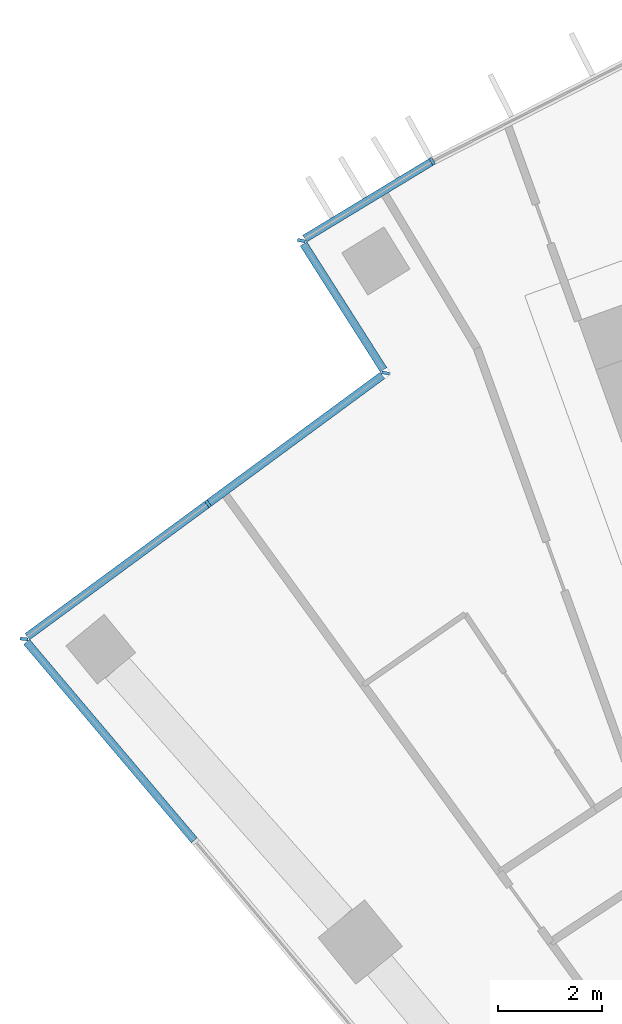
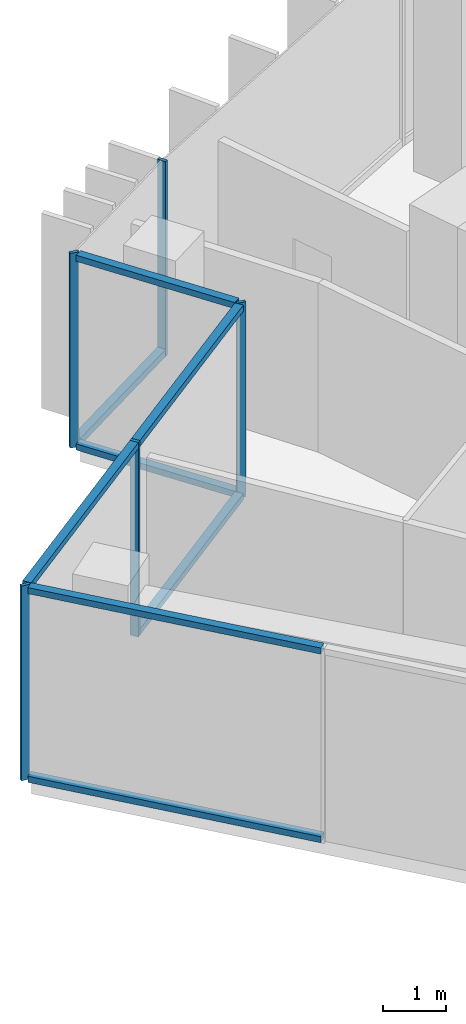
# One storey, part 3 of 19: 13 members, 4 elements without a shape of their own.
"""IFC4 building model written with IfcOpenShell, lengths in metres."""

from ifc_helpers import new_model, si_unit, direction, frame, origin, origin_2d, place, context, subcontext, project, spatial, rectangle, extrude, material, layer, layer_set, material_profile, profile_set, type_object, element, aggregate, save


model = new_model("IFC4")

# Units and contexts
model_context = context("Model", 3, precision=1e-05, world=origin(), true_north=direction((0.0, 1.0)))
body_context = subcontext(model_context, "Body", "Model", "MODEL_VIEW")
ifc_project = project(units=[si_unit("LENGTHUNIT", "METRE"), si_unit("AREAUNIT", "SQUARE_METRE"), si_unit("VOLUMEUNIT", "CUBIC_METRE"), si_unit("PLANEANGLEUNIT", "RADIAN"), si_unit("MASSUNIT", "GRAM", prefix="KILO")], contexts=[model_context])

# Site, building, storey
site_placement = place(None, origin())
site = spatial("IfcSite", under=ifc_project, at=site_placement, CompositionType="ELEMENT")
building_placement = place(site_placement, origin())
building = spatial("IfcBuilding", under=site, at=building_placement, Name="Stone Belt Terrace Tower", CompositionType="ELEMENT")
storey_placement = place(building_placement, frame((0.0, 0.0, 246.60009765625)))
storey = spatial("IfcBuildingStorey", under=building, at=storey_placement, Name="L60", CompositionType="ELEMENT", Elevation=246.60009765625)

# Curtain wall, members
ifc_material = material(Name="Aluminium 6063-T6 anodised frame", Category="aluminium")
ifc_layer_1 = layer(ifc_material, 0.14990234375)
ifc_layer_set_1 = layer_set([ifc_layer_1], Name="CW-A unitised convex-face curtain wall")
curtain_wall_type_1 = type_object("IfcCurtainWallType", Name="CW-A unitised convex-face curtain wall", PredefinedType="NOTDEFINED", material=ifc_layer_set_1)
curtain_wall_1_placement = place(storey_placement, origin())
curtain_wall_1 = element("IfcCurtainWall", 1, at=curtain_wall_1_placement, inside=storey, type_object=curtain_wall_type_1, Name="CW-A convex face L60", PredefinedType="NOTDEFINED")
ifc_material_profile_1 = material_profile(ifc_material, rectangle(XDim=0.14990234375, YDim=0.06005859375, at=origin_2d()), Name="Aluminium 6063-T6 60x150")
ifc_profile_set_1 = profile_set([ifc_material_profile_1], Name="Aluminium 6063-T6 anodised frame")
member_type_1 = type_object("IfcMemberType", Name="CW-A mullion 60 x 150", PredefinedType="MULLION", material=ifc_profile_set_1)
member_1_placement = place(storey_placement, frame((-33.28662109375, 57.65625, 0.0), z_axis=(0.0, 0.0, 1.0), x_axis=(0.486552313968, -0.873651444097, 0.0)))
member_1 = element("IfcMember", 2, at=member_1_placement, type_object=member_type_1, Name="CW-A mullion 14", PredefinedType="MULLION", context=body_context, shape_type="SweptSolid", body=[
    extrude(rectangle(XDim=0.14990234375, YDim=0.06005859375, at=origin_2d()), origin(), (0.0, 0.0, 1.0), 3.7998046875),
])
ifc_material_profile_2 = material_profile(ifc_material, rectangle(XDim=0.14990234375, YDim=0.139892578125, at=origin_2d()), Name="Aluminium 6063-T6 150x140")
ifc_profile_set_2 = profile_set([ifc_material_profile_2], Name="Aluminium 6063-T6 anodised frame")
member_type_2 = type_object("IfcMemberType", Name="CW-A transom 140 x 150", PredefinedType="USERDEFINED", material=ifc_profile_set_2)
member_2_placement = place(storey_placement, frame((-33.314453125, 57.63916015625, 0.06982421875), z_axis=(-0.855133942874, -0.51840711776, 0.0), x_axis=(0.51840711776, -0.855133942874, 0.0)))
member_2 = element("IfcMember", 3, at=member_2_placement, type_object=member_type_2, Name="CW-A transom 14.1", ObjectType="TRANSOM", PredefinedType="USERDEFINED", context=body_context, shape_type="SweptSolid", body=[
    extrude(rectangle(XDim=0.14990234375, YDim=0.139892578125, at=origin_2d()), origin(), (0.0, 0.0, 1.0), 2.8232421875),
])
aggregate(curtain_wall_1, [member_1, member_2])

# Curtain wall, member
ifc_layer_2 = layer(ifc_material, 0.14990234375)
ifc_layer_set_2 = layer_set([ifc_layer_2], Name="CW-C stick curtain wall, horn ends and notches")
curtain_wall_type_2 = type_object("IfcCurtainWallType", Name="CW-C stick curtain wall, horn ends and notches", PredefinedType="NOTDEFINED", material=ifc_layer_set_2)
curtain_wall_2_placement = place(storey_placement, origin())
curtain_wall_2 = element("IfcCurtainWall", 4, at=curtain_wall_2_placement, inside=storey, type_object=curtain_wall_type_2, Name="CW-C notch face L60", PredefinedType="NOTDEFINED")
ifc_material_profile_3 = material_profile(ifc_material, rectangle(XDim=0.14990234375, YDim=0.06005859375, at=origin_2d()), Name="Aluminium 6063-T6 60x150")
ifc_profile_set_3 = profile_set([ifc_material_profile_3], Name="Aluminium 6063-T6 anodised frame")
member_type_3 = type_object("IfcMemberType", Name="CW-C mullion 60 x 150", PredefinedType="MULLION", material=ifc_profile_set_3)
member_3_placement = place(storey_placement, frame((-35.792724609375, 56.13671875, 0.0), z_axis=(0.0, 0.0, 1.0), x_axis=(0.973748724197, -0.227625618341, 0.0)))
member_3 = element("IfcMember", 5, at=member_3_placement, type_object=member_type_3, Name="CW-C mullion 1", PredefinedType="MULLION", context=body_context, shape_type="SweptSolid", body=[
    extrude(rectangle(XDim=0.14990234375, YDim=0.06005859375, at=origin_2d()), origin(), (0.0, 0.0, 1.0), 3.7998046875),
])

# Curtain wall, members
curtain_wall_3_placement = place(storey_placement, origin())
curtain_wall_3 = element("IfcCurtainWall", 6, at=curtain_wall_3_placement, inside=storey, type_object=curtain_wall_type_2, Name="CW-C notch face L60", PredefinedType="NOTDEFINED")
member_4_placement = place(storey_placement, frame((-34.17919921875, 53.599853515625, 0.0), z_axis=(0.0, 0.0, 1.0), x_axis=(0.98292084332, -0.184028844934, 0.0)))
member_4 = element("IfcMember", 7, at=member_4_placement, type_object=member_type_3, Name="CW-C mullion 1", PredefinedType="MULLION", context=body_context, shape_type="SweptSolid", body=[
    extrude(rectangle(XDim=0.14990234375, YDim=0.06005859375, at=origin_2d()), origin(), (0.0, 0.0, 1.0), 3.7998046875),
])
member_5_placement = place(storey_placement, frame((-37.58154296875, 51.097412109375, 0.0), z_axis=(0.0, 0.0, 1.0), x_axis=(0.592492190799, -0.805576193691, 0.0)))
member_5 = element("IfcMember", 8, at=member_5_placement, type_object=member_type_3, Name="CW-C mullion 2", PredefinedType="MULLION", context=body_context, shape_type="SweptSolid", body=[
    extrude(rectangle(XDim=0.14990234375, YDim=0.06005859375, at=origin_2d()), origin(), (0.0, 0.0, 1.0), 3.7998046875),
])

# Curtain wall, member
curtain_wall_4_placement = place(storey_placement, origin())
curtain_wall_4 = element("IfcCurtainWall", 9, at=curtain_wall_4_placement, inside=storey, type_object=curtain_wall_type_2, Name="CW-C end face L60", PredefinedType="NOTDEFINED")
member_6_placement = place(storey_placement, frame((-41.105224609375, 48.505859375, 0.0), z_axis=(0.0, 0.0, 1.0), x_axis=(0.993114825084, -0.117144970865, 0.0)))
member_6 = element("IfcMember", 10, at=member_6_placement, type_object=member_type_3, Name="CW-C mullion 1", PredefinedType="MULLION", context=body_context, shape_type="SweptSolid", body=[
    extrude(rectangle(XDim=0.14990234375, YDim=0.06005859375, at=origin_2d()), origin(), (0.0, 0.0, 1.0), 3.7998046875),
])

# Member
ifc_material_profile_4 = material_profile(ifc_material, rectangle(XDim=0.14990234375, YDim=0.1201171875, at=origin_2d()), Name="Aluminium 6063-T6 150x120")
ifc_profile_set_4 = profile_set([ifc_material_profile_4], Name="Aluminium 6063-T6 anodised frame")
member_type_4 = type_object("IfcMemberType", Name="CW-C transom 120 x 150", PredefinedType="USERDEFINED", material=ifc_profile_set_4)
member_7_placement = place(storey_placement, frame((-35.752685546875, 56.073974609375, 0.059814453125), z_axis=(0.536698665455, -0.843773987806, 0.0), x_axis=(0.843773987806, 0.536698665455, 0.0)))
member_7 = element("IfcMember", 11, at=member_7_placement, type_object=member_type_4, Name="CW-C transom 1.1", ObjectType="TRANSOM", PredefinedType="USERDEFINED", context=body_context, shape_type="SweptSolid", body=[
    extrude(rectangle(XDim=0.14990234375, YDim=0.1201171875, at=origin_2d()), origin(), (0.0, 0.0, 1.0), 2.85888671875),
])

member_8_placement = place(storey_placement, frame((-35.752685546875, 56.073974609375, 3.739990234375), z_axis=(0.536698665455, -0.843773987806, 0.0), x_axis=(0.843773987806, 0.536698665455, 0.0)))
member_8 = element("IfcMember", 12, at=member_8_placement, type_object=member_type_4, Name="CW-C transom 1.2", ObjectType="TRANSOM", PredefinedType="USERDEFINED", context=body_context, shape_type="SweptSolid", body=[
    extrude(rectangle(XDim=0.14990234375, YDim=0.1201171875, at=origin_2d()), origin(), (0.0, 0.0, 1.0), 2.85888671875),
])

aggregate(curtain_wall_2, [member_3, member_7, member_8])

member_9_placement = place(storey_placement, frame((-34.238037109375, 53.556640625, 0.059814453125), z_axis=(-0.805567834642, -0.59250355593, 0.0), x_axis=(0.59250355593, -0.805567834642, 0.0)))
member_9 = element("IfcMember", 13, at=member_9_placement, type_object=member_type_4, Name="CW-C transom 1.1", ObjectType="TRANSOM", PredefinedType="USERDEFINED", context=body_context, shape_type="SweptSolid", body=[
    extrude(rectangle(XDim=0.14990234375, YDim=0.1201171875, at=origin_2d()), origin(), (0.0, 0.0, 1.0), 4.12060546875),
])

member_10_placement = place(storey_placement, frame((-34.238037109375, 53.556640625, 3.739990234375), z_axis=(-0.805567834642, -0.59250355593, 0.0), x_axis=(0.59250355593, -0.805567834642, 0.0)))
member_10 = element("IfcMember", 14, at=member_10_placement, type_object=member_type_4, Name="CW-C transom 1.2", ObjectType="TRANSOM", PredefinedType="USERDEFINED", context=body_context, shape_type="SweptSolid", body=[
    extrude(rectangle(XDim=0.14990234375, YDim=0.1201171875, at=origin_2d()), origin(), (0.0, 0.0, 1.0), 4.12060546875),
])

member_11_placement = place(storey_placement, frame((-37.605712890625, 51.07958984375, 3.739990234375), z_axis=(-0.805585977436, -0.592478888197, 0.0), x_axis=(0.592478888197, -0.805585977436, 0.0)))
member_11 = element("IfcMember", 15, at=member_11_placement, type_object=member_type_4, Name="CW-C transom 2.1", ObjectType="TRANSOM", PredefinedType="USERDEFINED", context=body_context, shape_type="SweptSolid", body=[
    extrude(rectangle(XDim=0.14990234375, YDim=0.1201171875, at=origin_2d()), origin(), (0.0, 0.0, 1.0), 4.2685546875),
])

aggregate(curtain_wall_3, [member_4, member_5, member_9, member_10, member_11])

member_12_placement = place(storey_placement, frame((-41.056640625, 48.448486328125, 0.059814453125), z_axis=(0.64560340546, -0.76367286377, 0.0), x_axis=(0.76367286377, 0.64560340546, 0.0)))
member_12 = element("IfcMember", 16, at=member_12_placement, type_object=member_type_4, Name="CW-C transom 1.1", ObjectType="TRANSOM", PredefinedType="USERDEFINED", context=body_context, shape_type="SweptSolid", body=[
    extrude(rectangle(XDim=0.14990234375, YDim=0.1201171875, at=origin_2d()), origin(), (0.0, 0.0, 1.0), 4.97509765625),
])

member_13_placement = place(storey_placement, frame((-41.056640625, 48.448486328125, 3.739990234375), z_axis=(0.64560340546, -0.76367286377, 0.0), x_axis=(0.76367286377, 0.64560340546, 0.0)))
member_13 = element("IfcMember", 17, at=member_13_placement, type_object=member_type_4, Name="CW-C transom 1.2", ObjectType="TRANSOM", PredefinedType="USERDEFINED", context=body_context, shape_type="SweptSolid", body=[
    extrude(rectangle(XDim=0.14990234375, YDim=0.1201171875, at=origin_2d()), origin(), (0.0, 0.0, 1.0), 4.97509765625),
])

aggregate(curtain_wall_4, [member_6, member_12, member_13])

save(model, "model.ifc")
